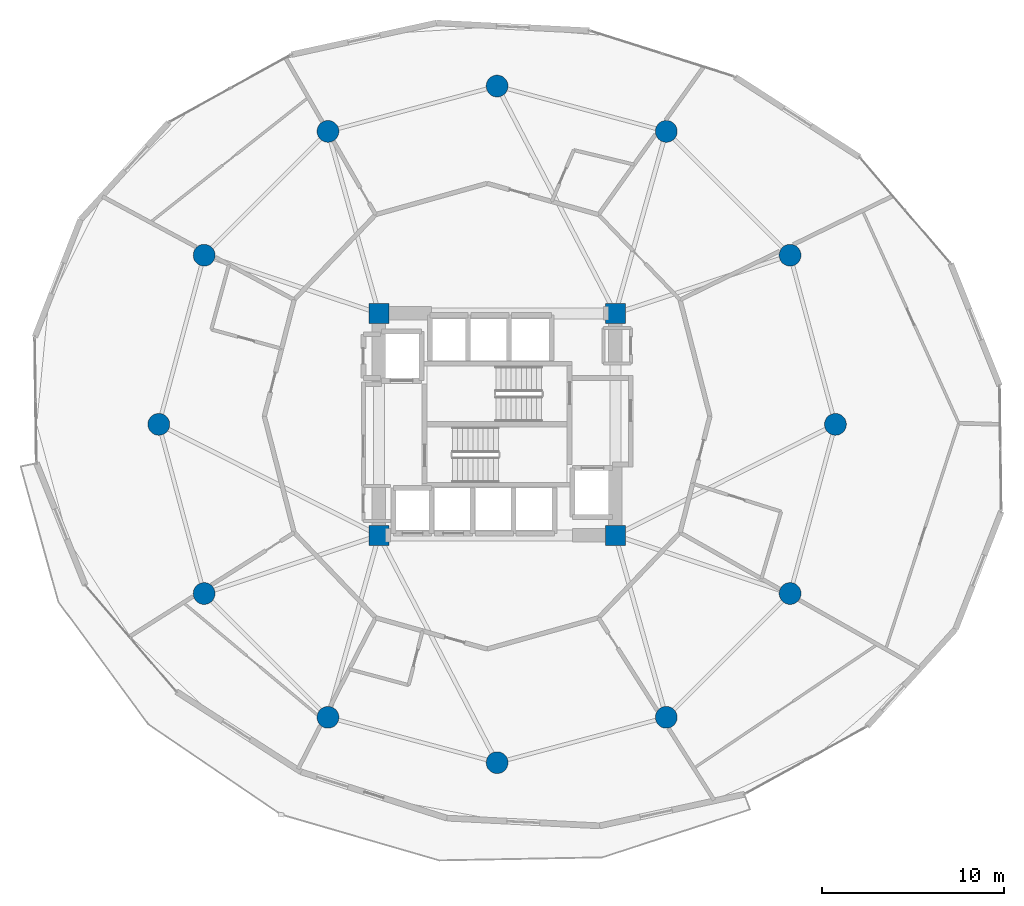
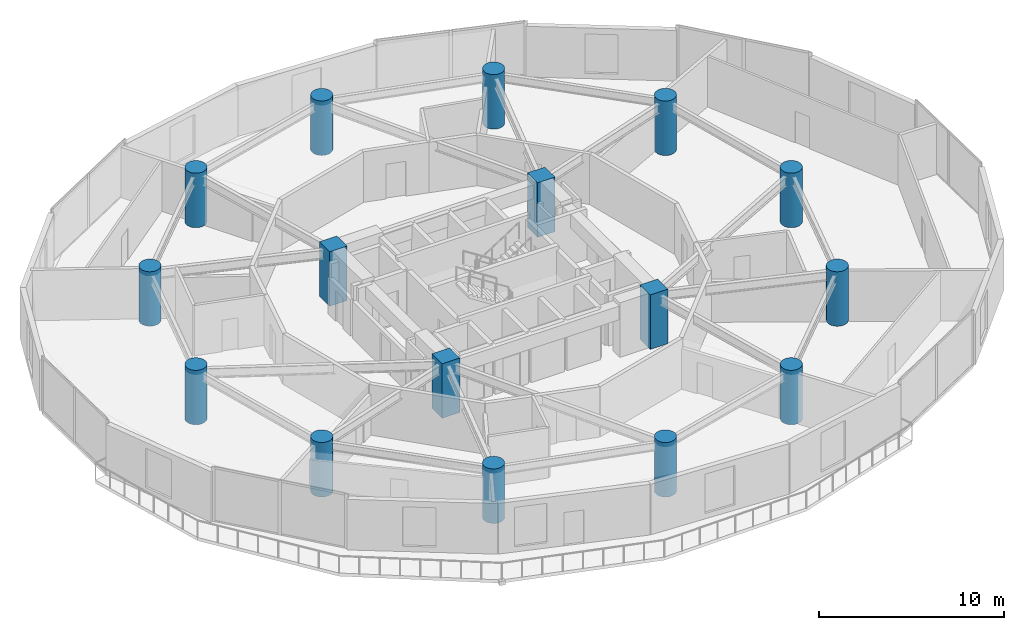
# One storey, part 1 of 23: 16 columns.
"""IFC4 building model written with IfcOpenShell, lengths in metres."""

from ifc_helpers import new_model, si_unit, direction, frame, origin, origin_2d, place, context, subcontext, project, spatial, rectangle, circle, extrude, material, material_profile, profile_set, type_object, element, save


model = new_model("IFC4")

# Units and contexts
model_context = context("Model", 3, precision=1e-05, world=origin(), true_north=direction((0.0, 1.0)))
body_context = subcontext(model_context, "Body", "Model", "MODEL_VIEW")
ifc_project = project(units=[si_unit("LENGTHUNIT", "METRE"), si_unit("AREAUNIT", "SQUARE_METRE"), si_unit("VOLUMEUNIT", "CUBIC_METRE"), si_unit("PLANEANGLEUNIT", "RADIAN"), si_unit("MASSUNIT", "GRAM", prefix="KILO")], contexts=[model_context])

# Site, building, storey
site_placement = place(None, origin())
site = spatial("IfcSite", under=ifc_project, at=site_placement, CompositionType="ELEMENT")
building_placement = place(site_placement, origin())
building = spatial("IfcBuilding", under=site, at=building_placement, Name="Solvirekh Grand Hotel", CompositionType="ELEMENT")
storey_placement = place(building_placement, frame((0.0, 0.0, 46.39990234375)))
storey = spatial("IfcBuildingStorey", under=building, at=storey_placement, Name="L10", CompositionType="ELEMENT", Elevation=46.39990234375)

# Columns
ifc_material = material(Name="Concrete C60/75", Category="concrete")
ifc_material_profile_1 = material_profile(ifc_material, rectangle(XDim=1.10009765625, YDim=1.10009765625, at=origin_2d()), Name="RC 1100X1100")
ifc_profile_set_1 = profile_set([ifc_material_profile_1], Name="Concrete C60/75")
column_type_1 = type_object("IfcColumnType", Name="Col_Core_1100", PredefinedType="COLUMN", material=ifc_profile_set_1)
for number, where, z_axis, x_axis, name in (
    (1, (-6.5, -6.10009765625, 0.0), (0.0, 0.0, 1.0), (1.0, 0.0, 0.0), "L10 core corner column CC1"),
    (2, (6.5, -6.10009765625, 0.0), (0.0, 0.0, 1.0), (1.0, 0.0, 0.0), "L10 core corner column CC2"),
    (3, (6.5, 6.10009765625, 0.0), (0.0, 0.0, 1.0), (1.0, 0.0, 0.0), "L10 core corner column CC3"),
    (4, (-6.5, 6.10009765625, 0.0), (0.0, 0.0, 1.0), (1.0, 0.0, 0.0), "L10 core corner column CC4"),
):
    element("IfcColumn", number, at=place(storey_placement, frame(where, z_axis=z_axis, x_axis=x_axis)), inside=storey, type_object=column_type_1, Name=name, PredefinedType="COLUMN", context=body_context, shape_type="SweptSolid", body=[
        extrude(rectangle(XDim=1.10009765625, YDim=1.10009765625, at=origin_2d()), origin(), (0.0, 0.0, 1.0), 3.60009765625),
    ])
ifc_material_profile_2 = material_profile(ifc_material, circle(Radius=0.60009765625, at=origin_2d()), Name="RC CIRC D1200")
ifc_profile_set_2 = profile_set([ifc_material_profile_2], Name="Concrete C60/75")
column_type_2 = type_object("IfcColumnType", Name="Col_Z1_D1200", PredefinedType="COLUMN", material=ifc_profile_set_2)
for number, where, z_axis, x_axis, name in (
    (5, (18.60009765625, 0.0, 0.0), (0.0, 0.0, 1.0), (1.0, 0.0, 0.0), "L10 perimeter column P01"),
    (6, (16.10791015625, 9.300048828125, 0.0), (0.0, 0.0, 1.0), (1.0, 0.0, 0.0), "L10 perimeter column P02"),
    (7, (9.300048828125, 16.10791015625, 0.0), (0.0, 0.0, 1.0), (1.0, 0.0, 0.0), "L10 perimeter column P03"),
    (8, (0.0, 18.60009765625, 0.0), (0.0, 0.0, 1.0), (1.0, 0.0, 0.0), "L10 perimeter column P04"),
    (9, (-9.300048828125, 16.10791015625, 0.0), (0.0, 0.0, 1.0), (1.0, 0.0, 0.0), "L10 perimeter column P05"),
    (10, (-16.10791015625, 9.300048828125, 0.0), (0.0, 0.0, 1.0), (1.0, 0.0, 0.0), "L10 perimeter column P06"),
    (11, (-18.60009765625, 0.0, 0.0), (0.0, 0.0, 1.0), (1.0, 0.0, 0.0), "L10 perimeter column P07"),
    (12, (-16.10791015625, -9.300048828125, 0.0), (0.0, 0.0, 1.0), (1.0, 0.0, 0.0), "L10 perimeter column P08"),
    (13, (-9.300048828125, -16.10791015625, 0.0), (0.0, 0.0, 1.0), (1.0, 0.0, 0.0), "L10 perimeter column P09"),
    (14, (0.0, -18.60009765625, 0.0), (0.0, 0.0, 1.0), (1.0, 0.0, 0.0), "L10 perimeter column P10"),
    (15, (9.300048828125, -16.10791015625, 0.0), (0.0, 0.0, 1.0), (1.0, 0.0, 0.0), "L10 perimeter column P11"),
    (16, (16.10791015625, -9.300048828125, 0.0), (0.0, 0.0, 1.0), (1.0, 0.0, 0.0), "L10 perimeter column P12"),
):
    element("IfcColumn", number, at=place(storey_placement, frame(where, z_axis=z_axis, x_axis=x_axis)), inside=storey, type_object=column_type_2, Name=name, PredefinedType="COLUMN", context=body_context, shape_type="SweptSolid", body=[
        extrude(circle(Radius=0.60009765625, at=origin_2d()), origin(), (0.0, 0.0, 1.0), 3.60009765625),
    ])

save(model, "model.ifc")
